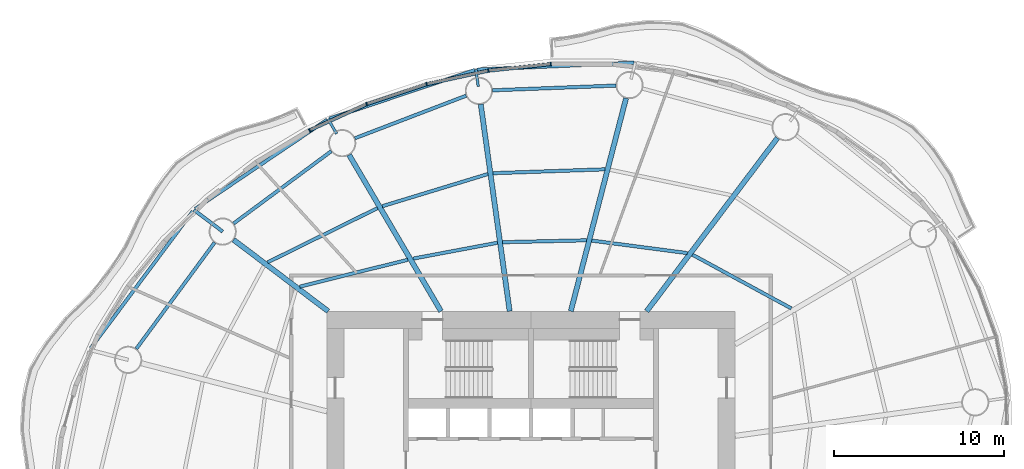
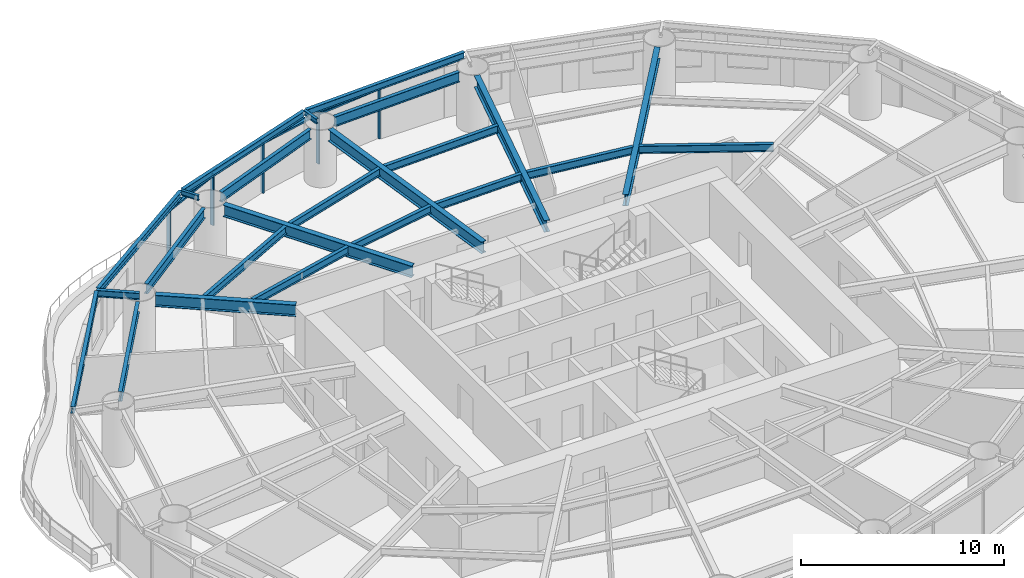
# One storey, part 5 of 16: 24 beams, 9 members, 4 elements without a shape of their own.
"""IFC4 building model written with IfcOpenShell, lengths in metres."""

from ifc_helpers import new_model, si_unit, direction, frame, origin, origin_2d, place, context, subcontext, project, spatial, rectangle, i_section, extrude, material, material_profile, profile_set, type_object, element, aggregate, save


model = new_model("IFC4")

# Units and contexts
model_context = context("Model", 3, precision=1e-05, world=origin(), true_north=direction((0.0, 1.0)))
body_context = subcontext(model_context, "Body", "Model", "MODEL_VIEW")
ifc_project = project(units=[si_unit("LENGTHUNIT", "METRE"), si_unit("AREAUNIT", "SQUARE_METRE"), si_unit("VOLUMEUNIT", "CUBIC_METRE"), si_unit("PLANEANGLEUNIT", "RADIAN"), si_unit("MASSUNIT", "GRAM", prefix="KILO")], contexts=[model_context])

# Site, building, storey
site_placement = place(None, origin())
site = spatial("IfcSite", under=ifc_project, at=site_placement, CompositionType="ELEMENT")
building_placement = place(site_placement, origin())
building = spatial("IfcBuilding", under=site, at=building_placement, Name="Vermilion Reach Broadcast Tower", CompositionType="ELEMENT")
storey_placement = place(building_placement, frame((0.0, 0.0, 95.800048828125)))
storey = spatial("IfcBuildingStorey", under=building, at=storey_placement, Name="L21", CompositionType="ELEMENT", Elevation=95.800048828125)

# Beams
ifc_material_1 = material(Name="Steel S355J2", Category="steel")
ifc_material_profile_1 = material_profile(ifc_material_1, i_section(OverallWidth=0.199951171875, OverallDepth=0.39990234375, WebThickness=0.008056640625, FlangeThickness=0.012939453125, at=origin_2d()), Name="S355J2 HN 400x200x8x13")
ifc_profile_set_1 = profile_set([ifc_material_profile_1], Name="Steel S355J2")
beam_type_1 = type_object("IfcBeamType", Name="EB2 HN 400x200x8x13", PredefinedType="BEAM", material=ifc_profile_set_1)
beam_1_placement = place(storey_placement, frame((0.04931640625, 23.605712890625, 3.25), z_axis=(-0.999051457618, -0.043545206746, 0.0), x_axis=(0.043545206746, -0.999051457618, 0.0)))
element("IfcBeam", 1, at=beam_1_placement, inside=storey, type_object=beam_type_1, Name="Edge beam EB2-03", PredefinedType="BEAM", context=body_context, shape_type="SweptSolid", body=[
    extrude(i_section(OverallWidth=0.199951171875, OverallDepth=0.39990234375, WebThickness=0.008056640625, FlangeThickness=0.012939453125, at=origin_2d()), origin(), (0.0, 0.0, 1.0), 9.222900390625),
])
beam_2_placement = place(storey_placement, frame((-9.312255859375, 23.176513671875, 3.25), z_axis=(-0.948406574581, -0.317056728824, 0.0), x_axis=(0.317056728824, -0.948406574581, 0.0)))
element("IfcBeam", 2, at=beam_2_placement, inside=storey, type_object=beam_type_1, Name="Edge beam EB2-04", PredefinedType="BEAM", context=body_context, shape_type="SweptSolid", body=[
    extrude(i_section(OverallWidth=0.199951171875, OverallDepth=0.39990234375, WebThickness=0.008056640625, FlangeThickness=0.012939453125, at=origin_2d()), origin(), (0.0, 0.0, 1.0), 9.0107421875),
])
beam_3_placement = place(storey_placement, frame((-17.9931640625, 20.253173828125, 3.25), z_axis=(-0.828409682943, -0.560122662643, 0.0), x_axis=(0.560122662643, -0.828409682943, 0.0)))
element("IfcBeam", 3, at=beam_3_placement, inside=storey, type_object=beam_type_1, Name="Edge beam EB2-05", PredefinedType="BEAM", context=body_context, shape_type="SweptSolid", body=[
    extrude(i_section(OverallWidth=0.199951171875, OverallDepth=0.39990234375, WebThickness=0.008056640625, FlangeThickness=0.012939453125, at=origin_2d()), origin(), (0.0, 0.0, 1.0), 9.341064453125),
])
beam_4_placement = place(storey_placement, frame((-25.878662109375, 14.881591796875, 3.25), z_axis=(-0.597619113208, -0.801780141641, 0.0), x_axis=(0.801780141641, -0.597619113208, 0.0)))
element("IfcBeam", 4, at=beam_4_placement, inside=storey, type_object=beam_type_1, Name="Edge beam EB2-06", PredefinedType="BEAM", context=body_context, shape_type="SweptSolid", body=[
    extrude(i_section(OverallWidth=0.199951171875, OverallDepth=0.39990234375, WebThickness=0.008056640625, FlangeThickness=0.012939453125, at=origin_2d()), origin(), (0.0, 0.0, 1.0), 10.052001953125),
])
ifc_material_2 = material(Name="Steel S355J2", Category="steel")
ifc_material_profile_2 = material_profile(ifc_material_2, i_section(OverallWidth=0.300048828125, OverallDepth=0.699951171875, WebThickness=0.012939453125, FlangeThickness=0.02392578125, at=origin_2d()), Name="S355J2 HN 700x300x13x24")
ifc_profile_set_2 = profile_set([ifc_material_profile_2], Name="Steel S355J2")
beam_type_2 = type_object("IfcBeamType", Name="G2 HN 700x300x13x24", PredefinedType="BEAM", material=ifc_profile_set_2)
beam_5_placement = place(storey_placement, frame((0.794189453125, 9.0, 3.099853515625), z_axis=(0.602519842365, 0.798103902733, 0.0), x_axis=(-0.798103902733, 0.602519842365, 0.0)))
element("IfcBeam", 5, at=beam_5_placement, inside=storey, type_object=beam_type_2, Name="Girder G2-02", PredefinedType="BEAM", context=body_context, shape_type="SweptSolid", body=[
    extrude(i_section(OverallWidth=0.300048828125, OverallDepth=0.699951171875, WebThickness=0.012939453125, FlangeThickness=0.02392578125, at=origin_2d()), origin(), (0.0, 0.0, 1.0), 12.758544921875),
])
beam_6_placement = place(storey_placement, frame((-3.6640625, 9.0, 3.099853515625), z_axis=(0.25121695316, 0.967930804575, 0.0), x_axis=(-0.967930804575, 0.25121695316, 0.0)))
element("IfcBeam", 6, at=beam_6_placement, inside=storey, type_object=beam_type_2, Name="Girder G2-03", PredefinedType="BEAM", context=body_context, shape_type="SweptSolid", body=[
    extrude(i_section(OverallWidth=0.300048828125, OverallDepth=0.699951171875, WebThickness=0.012939453125, FlangeThickness=0.02392578125, at=origin_2d()), origin(), (0.0, 0.0, 1.0), 12.93505859375),
])
beam_7_placement = place(storey_placement, frame((-7.2568359375, 9.0, 3.099853515625), z_axis=(-0.138317561234, 0.990387930184, 0.0), x_axis=(-0.990387930184, -0.138317561234, 0.0)))
element("IfcBeam", 7, at=beam_7_placement, inside=storey, type_object=beam_type_2, Name="Girder G2-04", PredefinedType="BEAM", context=body_context, shape_type="SweptSolid", body=[
    extrude(i_section(OverallWidth=0.300048828125, OverallDepth=0.699951171875, WebThickness=0.012939453125, FlangeThickness=0.02392578125, at=origin_2d()), origin(), (0.0, 0.0, 1.0), 12.281494140625),
])
beam_8_placement = place(storey_placement, frame((-11.290771484375, 9.0, 3.099853515625), z_axis=(-0.506783943634, 0.862073102744, 0.0), x_axis=(-0.862073102744, -0.506783943634, 0.0)))
element("IfcBeam", 8, at=beam_8_placement, inside=storey, type_object=beam_type_2, Name="Girder G2-05", PredefinedType="BEAM", context=body_context, shape_type="SweptSolid", body=[
    extrude(i_section(OverallWidth=0.300048828125, OverallDepth=0.699951171875, WebThickness=0.012939453125, FlangeThickness=0.02392578125, at=origin_2d()), origin(), (0.0, 0.0, 1.0), 10.661865234375),
])
beam_9_placement = place(storey_placement, frame((-17.921630859375, 9.0, 3.099853515625), z_axis=(-0.798113534072, 0.602507084382, 0.0), x_axis=(-0.602507084382, -0.798113534072, 0.0)))
element("IfcBeam", 9, at=beam_9_placement, inside=storey, type_object=beam_type_2, Name="Girder G2-06", PredefinedType="BEAM", context=body_context, shape_type="SweptSolid", body=[
    extrude(i_section(OverallWidth=0.300048828125, OverallDepth=0.699951171875, WebThickness=0.012939453125, FlangeThickness=0.02392578125, at=origin_2d()), origin(), (0.0, 0.0, 1.0), 6.971923828125),
])
ifc_material_3 = material(Name="Steel S355J2", Category="steel")
ifc_material_profile_3 = material_profile(ifc_material_3, i_section(OverallWidth=0.199951171875, OverallDepth=0.39990234375, WebThickness=0.008056640625, FlangeThickness=0.012939453125, at=origin_2d()), Name="S355J2 HN 400x200x8x13")
ifc_profile_set_3 = profile_set([ifc_material_profile_3], Name="Steel S355J2")
beam_type_3 = type_object("IfcBeamType", Name="GC2 HN 400x200x8x13", PredefinedType="BEAM", material=ifc_profile_set_3)
beam_10_placement = place(storey_placement, frame((-24.12451171875, 13.6826171875, 3.25), z_axis=(-0.798119240802, 0.602499524865, 0.0), x_axis=(-0.602499524865, -0.798119240802, 0.0)))
element("IfcBeam", 10, at=beam_10_placement, inside=storey, type_object=beam_type_3, Name="Cantilever girder GC2-06", PredefinedType="BEAM", context=body_context, shape_type="SweptSolid", body=[
    extrude(i_section(OverallWidth=0.199951171875, OverallDepth=0.39990234375, WebThickness=0.008056640625, FlangeThickness=0.012939453125, at=origin_2d()), origin(), (0.0, 0.0, 1.0), 2.122802734375),
])
ifc_material_4 = material(Name="Steel S355J2", Category="steel")
ifc_material_profile_4 = material_profile(ifc_material_4, i_section(OverallWidth=0.14990234375, OverallDepth=0.300048828125, WebThickness=0.006591796875, FlangeThickness=0.009033203125, at=origin_2d()), Name="S355J2 HN 300x150x6.5x9")
ifc_profile_set_4 = profile_set([ifc_material_profile_4], Name="Steel S355J2")
beam_type_4 = type_object("IfcBeamType", Name="GS2 HN 300x150x6.5x9", PredefinedType="BEAM", material=ifc_profile_set_4)
for number, where, z_axis, x_axis, name in (
    (11, (-9.101806640625, 22.21044921875, 3.300048828125), (-0.13817375644, 0.990408003315, 0.0), (-0.990408003315, -0.13817375644, 0.0), "Cantilever stub GS2-04"),
    (12, (-17.424072265625, 19.43310546875, 3.300048828125), (-0.506828068037, 0.862047161964, 0.0), (-0.862047161964, -0.506828068037, 0.0), "Cantilever stub GS2-05"),
):
    element("IfcBeam", number, at=place(storey_placement, frame(where, z_axis=z_axis, x_axis=x_axis)), inside=storey, type_object=beam_type_4, Name=name, PredefinedType="BEAM", context=body_context, shape_type="SweptSolid", body=[
        extrude(i_section(OverallWidth=0.14990234375, OverallDepth=0.300048828125, WebThickness=0.006591796875, FlangeThickness=0.009033203125, at=origin_2d()), origin(), (0.0, 0.0, 1.0), 1.0),
    ])
ifc_material_5 = material(Name="Steel S355J2", Category="steel")
ifc_material_profile_5 = material_profile(ifc_material_5, i_section(OverallWidth=0.199951171875, OverallDepth=0.60009765625, WebThickness=0.010986328125, FlangeThickness=0.01708984375, at=origin_2d()), Name="S355J2 HN 600x200x11x17")
ifc_profile_set_5 = profile_set([ifc_material_profile_5], Name="Steel S355J2")
beam_type_5 = type_object("IfcBeamType", Name="RB2 HN 600x200x11x17", PredefinedType="BEAM", material=ifc_profile_set_5)
beam_11_placement = place(storey_placement, frame((-1.012939453125, 22.263916015625, 3.14990234375), z_axis=(-0.999268558327, -0.038240663418, 0.0), x_axis=(0.038240663418, -0.999268558327, 0.0)))
element("IfcBeam", 13, at=beam_11_placement, inside=storey, type_object=beam_type_5, Name="Ring beam RB2-03", PredefinedType="BEAM", context=body_context, shape_type="SweptSolid", body=[
    extrude(i_section(OverallWidth=0.199951171875, OverallDepth=0.60009765625, WebThickness=0.010986328125, FlangeThickness=0.01708984375, at=origin_2d()), origin(), (0.0, 0.0, 1.0), 7.259033203125),
])
beam_12_placement = place(storey_placement, frame((-9.813232421875, 21.669677734375, 3.14990234375), z_axis=(-0.933939237212, -0.357431813353, 0.0), x_axis=(0.357431813353, -0.933939237212, 0.0)))
element("IfcBeam", 14, at=beam_12_placement, inside=storey, type_object=beam_type_5, Name="Ring beam RB2-04", PredefinedType="BEAM", context=body_context, shape_type="SweptSolid", body=[
    extrude(i_section(OverallWidth=0.199951171875, OverallDepth=0.60009765625, WebThickness=0.010986328125, FlangeThickness=0.01708984375, at=origin_2d()), origin(), (0.0, 0.0, 1.0), 7.001953125),
])
beam_13_placement = place(storey_placement, frame((-17.74267578125, 18.4052734375, 3.14990234375), z_axis=(-0.803832742218, -0.594855379515, 0.0), x_axis=(0.594855379515, -0.803832742218, 0.0)))
element("IfcBeam", 15, at=beam_13_placement, inside=storey, type_object=beam_type_5, Name="Ring beam RB2-05", PredefinedType="BEAM", context=body_context, shape_type="SweptSolid", body=[
    extrude(i_section(OverallWidth=0.199951171875, OverallDepth=0.60009765625, WebThickness=0.010986328125, FlangeThickness=0.01708984375, at=origin_2d()), origin(), (0.0, 0.0, 1.0), 7.13916015625),
])
beam_14_placement = place(storey_placement, frame((-24.59912109375, 13.03857421875, 3.14990234375), z_axis=(-0.593250534798, -0.80501788984, 0.0), x_axis=(0.80501788984, -0.593250534798, 0.0)))
element("IfcBeam", 16, at=beam_14_placement, inside=storey, type_object=beam_type_5, Name="Ring beam RB2-06", PredefinedType="BEAM", context=body_context, shape_type="SweptSolid", body=[
    extrude(i_section(OverallWidth=0.199951171875, OverallDepth=0.60009765625, WebThickness=0.010986328125, FlangeThickness=0.01708984375, at=origin_2d()), origin(), (0.0, 0.0, 1.0), 7.76220703125),
])
ifc_material_6 = material(Name="Steel S355J2", Category="steel")
ifc_material_profile_6 = material_profile(ifc_material_6, i_section(OverallWidth=0.199951171875, OverallDepth=0.449951171875, WebThickness=0.009033203125, FlangeThickness=0.013916015625, at=origin_2d()), Name="S355J2 HN 450x200x9x14")
ifc_profile_set_6 = profile_set([ifc_material_profile_6], Name="Steel S355J2")
beam_type_6 = type_object("IfcBeamType", Name="SB2 HN 450x200x9x14", PredefinedType="BEAM", material=ifc_profile_set_6)
beam_15_placement = place(storey_placement, frame((9.29736328125, 9.1669921875, 3.224853515625), z_axis=(-0.878713106774, 0.477350265512, 0.0), x_axis=(-0.477350265512, -0.878713106774, 0.0)))
element("IfcBeam", 17, at=beam_15_placement, inside=storey, type_object=beam_type_6, Name="Secondary beam SB2-01-1", PredefinedType="BEAM", context=body_context, shape_type="SweptSolid", body=[
    extrude(i_section(OverallWidth=0.199951171875, OverallDepth=0.449951171875, WebThickness=0.009033203125, FlangeThickness=0.013916015625, at=origin_2d()), origin(), (0.0, 0.0, 1.0), 6.60888671875),
])
beam_16_placement = place(storey_placement, frame((3.185546875, 12.416748046875, 3.224853515625), z_axis=(-0.991498686864, 0.130116693573, 0.0), x_axis=(-0.130116693573, -0.991498686864, 0.0)))
element("IfcBeam", 18, at=beam_16_placement, inside=storey, type_object=beam_type_6, Name="Secondary beam SB2-02-1", PredefinedType="BEAM", context=body_context, shape_type="SweptSolid", body=[
    extrude(i_section(OverallWidth=0.199951171875, OverallDepth=0.449951171875, WebThickness=0.009033203125, FlangeThickness=0.013916015625, at=origin_2d()), origin(), (0.0, 0.0, 1.0), 5.66455078125),
])
beam_17_placement = place(storey_placement, frame((-2.73681640625, 13.169921875, 3.224853515625), z_axis=(-0.999742320425, -0.022700060602, 0.0), x_axis=(0.022700060602, -0.999742320425, 0.0)))
element("IfcBeam", 19, at=beam_17_placement, inside=storey, type_object=beam_type_6, Name="Secondary beam SB2-03-1", PredefinedType="BEAM", context=body_context, shape_type="SweptSolid", body=[
    extrude(i_section(OverallWidth=0.199951171875, OverallDepth=0.449951171875, WebThickness=0.009033203125, FlangeThickness=0.013916015625, at=origin_2d()), origin(), (0.0, 0.0, 1.0), 4.9365234375),
])
beam_18_placement = place(storey_placement, frame((-1.654052734375, 17.34130859375, 3.224853515625), z_axis=(-0.999404722387, -0.03449928797, 0.0), x_axis=(0.03449928797, -0.999404722387, 0.0)))
element("IfcBeam", 20, at=beam_18_placement, inside=storey, type_object=beam_type_6, Name="Secondary beam SB2-03-2", PredefinedType="BEAM", context=body_context, shape_type="SweptSolid", body=[
    extrude(i_section(OverallWidth=0.199951171875, OverallDepth=0.449951171875, WebThickness=0.009033203125, FlangeThickness=0.013916015625, at=origin_2d()), origin(), (0.0, 0.0, 1.0), 6.58837890625),
])
beam_19_placement = place(storey_placement, frame((-7.970703125, 13.026611328125, 3.224853515625), z_axis=(-0.982782890015, -0.184764149915, 0.0), x_axis=(0.184764149915, -0.982782890015, 0.0)))
element("IfcBeam", 21, at=beam_19_placement, inside=storey, type_object=beam_type_6, Name="Secondary beam SB2-04-1", PredefinedType="BEAM", context=body_context, shape_type="SweptSolid", body=[
    extrude(i_section(OverallWidth=0.199951171875, OverallDepth=0.449951171875, WebThickness=0.009033203125, FlangeThickness=0.013916015625, at=origin_2d()), origin(), (0.0, 0.0, 1.0), 5.051513671875),
])
beam_20_placement = place(storey_placement, frame((-8.53466796875, 17.064697265625, 3.224853515625), z_axis=(-0.956596430605, -0.291415972374, 0.0), x_axis=(0.291415972374, -0.956596430605, 0.0)))
element("IfcBeam", 22, at=beam_20_placement, inside=storey, type_object=beam_type_6, Name="Secondary beam SB2-04-2", PredefinedType="BEAM", context=body_context, shape_type="SweptSolid", body=[
    extrude(i_section(OverallWidth=0.199951171875, OverallDepth=0.449951171875, WebThickness=0.009033203125, FlangeThickness=0.013916015625, at=origin_2d()), origin(), (0.0, 0.0, 1.0), 6.49267578125),
])
beam_21_placement = place(storey_placement, frame((-13.24365234375, 12.026123046875, 3.224853515625), z_axis=(-0.970396717612, -0.241516480695, 0.0), x_axis=(0.241516480695, -0.970396717612, 0.0)))
element("IfcBeam", 23, at=beam_21_placement, inside=storey, type_object=beam_type_6, Name="Secondary beam SB2-05-1", PredefinedType="BEAM", context=body_context, shape_type="SweptSolid", body=[
    extrude(i_section(OverallWidth=0.199951171875, OverallDepth=0.449951171875, WebThickness=0.009033203125, FlangeThickness=0.013916015625, at=origin_2d()), origin(), (0.0, 0.0, 1.0), 6.539306640625),
])
beam_22_placement = place(storey_placement, frame((-15.02783203125, 15.06103515625, 3.224853515625), z_axis=(-0.896648255868, -0.442743611189, 0.0), x_axis=(0.442743611189, -0.896648255868, 0.0)))
element("IfcBeam", 24, at=beam_22_placement, inside=storey, type_object=beam_type_6, Name="Secondary beam SB2-05-2", PredefinedType="BEAM", context=body_context, shape_type="SweptSolid", body=[
    extrude(i_section(OverallWidth=0.199951171875, OverallDepth=0.449951171875, WebThickness=0.009033203125, FlangeThickness=0.013916015625, at=origin_2d()), origin(), (0.0, 0.0, 1.0), 7.19677734375),
])

# Curtain wall, member
ifc_material_7 = material(Name="Low-e laminated clear glass in aluminium frame", Category="aluminium")
curtain_wall_type = type_object("IfcCurtainWallType", Name="Slot curtain wall", PredefinedType="NOTDEFINED", material=ifc_material_7)
placement = place(storey_placement, origin())
curtain_wall_1 = element("IfcCurtainWall", 25, at=placement, inside=storey, type_object=curtain_wall_type, Name="Slot curtain wall L21 10", PredefinedType="NOTDEFINED")
ifc_material_8 = material(Name="Anodised aluminium", Category="aluminium")
ifc_material_profile_7 = material_profile(ifc_material_8, rectangle(XDim=0.199951171875, YDim=0.080078125, at=origin_2d()), Name="Slot mullion 80 x 200")
ifc_profile_set_7 = profile_set([ifc_material_profile_7], Name="Anodised aluminium")
member_type_1 = type_object("IfcMemberType", Name="Slot mullion 80 x 200", PredefinedType="MULLION", material=ifc_profile_set_7)
member_1_placement = place(storey_placement, frame((-4.841064453125, 23.52978515625, 0.0), z_axis=(0.0, 0.0, 1.0), x_axis=(0.05162143582, -0.998666724871, 0.0)))
member_1 = element("IfcMember", 26, at=member_1_placement, type_object=member_type_1, Name="Slot mullion L21 10", PredefinedType="MULLION", context=body_context, shape_type="SweptSolid", body=[
    extrude(rectangle(XDim=0.199951171875, YDim=0.080078125, at=origin_2d()), origin(), (0.0, 0.0, 1.0), 3.050048828125),
])

curtain_wall_2 = element("IfcCurtainWall", 27, at=placement, inside=storey, type_object=curtain_wall_type, Name="Slot curtain wall L21 11", PredefinedType="NOTDEFINED")
member_2_placement = place(storey_placement, frame((-8.51123046875, 23.137451171875, 0.0), z_axis=(0.0, 0.0, 1.0), x_axis=(0.159778927645, -0.987152822151, 0.0)))
member_2 = element("IfcMember", 28, at=member_2_placement, type_object=member_type_1, Name="Slot mullion L21 11", PredefinedType="MULLION", context=body_context, shape_type="SweptSolid", body=[
    extrude(rectangle(XDim=0.199951171875, YDim=0.080078125, at=origin_2d()), origin(), (0.0, 0.0, 1.0), 3.050048828125),
])

curtain_wall_3 = element("IfcCurtainWall", 29, at=placement, inside=storey, type_object=curtain_wall_type, Name="Slot curtain wall L21 12", PredefinedType="NOTDEFINED")
member_3_placement = place(storey_placement, frame((-12.138671875, 22.347412109375, 0.0), z_axis=(0.0, 0.0, 1.0), x_axis=(0.264882896432, -0.96428058737, 0.0)))
member_3 = element("IfcMember", 30, at=member_3_placement, type_object=member_type_1, Name="Slot mullion L21 12", PredefinedType="MULLION", context=body_context, shape_type="SweptSolid", body=[
    extrude(rectangle(XDim=0.199951171875, YDim=0.080078125, at=origin_2d()), origin(), (0.0, 0.0, 1.0), 3.050048828125),
])

# Curtain wall, members
curtain_wall_4 = element("IfcCurtainWall", 31, at=placement, inside=storey, type_object=curtain_wall_type, Name="Slot curtain wall L21 13", PredefinedType="NOTDEFINED")
member_4_placement = place(storey_placement, frame((-15.66064453125, 21.173583984375, 0.0), z_axis=(0.0, 0.0, 1.0), x_axis=(0.366922430648, -0.93025154119, 0.0)))
member_4 = element("IfcMember", 32, at=member_4_placement, type_object=member_type_1, Name="Slot mullion L21 13", PredefinedType="MULLION", context=body_context, shape_type="SweptSolid", body=[
    extrude(rectangle(XDim=0.199951171875, YDim=0.080078125, at=origin_2d()), origin(), (0.0, 0.0, 1.0), 3.050048828125),
])
member_5_placement = place(storey_placement, frame((-19.016357421875, 19.635986328125, 0.0), z_axis=(0.0, 0.0, 1.0), x_axis=(0.465784447042, -0.884898213861, 0.0)))
member_5 = element("IfcMember", 33, at=member_5_placement, type_object=member_type_1, Name="Slot mullion L21 14", PredefinedType="MULLION", context=body_context, shape_type="SweptSolid", body=[
    extrude(rectangle(XDim=0.199951171875, YDim=0.080078125, at=origin_2d()), origin(), (0.0, 0.0, 1.0), 3.050048828125),
])

# Member
ifc_material_9 = material(Name="Anodised aluminium", Category="aluminium")
ifc_material_profile_8 = material_profile(ifc_material_9, rectangle(XDim=0.199951171875, YDim=0.10009765625, at=origin_2d()), Name="Slot transom 200 x 100")
ifc_profile_set_8 = profile_set([ifc_material_profile_8], Name="Anodised aluminium")
member_type_2 = type_object("IfcMemberType", Name="Slot transom 200 x 100", PredefinedType="USERDEFINED", material=ifc_profile_set_8)
member_6_placement = place(storey_placement, frame((-4.880859375, 23.525634765625, 3.0), z_axis=(-0.994328831419, -0.106349306577, 0.0), x_axis=(0.106349306577, -0.994328831419, 0.0)))
member_6 = element("IfcMember", 34, at=member_6_placement, type_object=member_type_2, Name="Slot transom L21 10.1", ObjectType="TRANSOM", PredefinedType="USERDEFINED", context=body_context, shape_type="SweptSolid", body=[
    extrude(rectangle(XDim=0.199951171875, YDim=0.10009765625, at=origin_2d()), origin(), (0.0, 0.0, 1.0), 3.611083984375),
])

aggregate(curtain_wall_1, [member_1, member_6])

member_7_placement = place(storey_placement, frame((-8.55029296875, 23.12890625, 3.0), z_axis=(-0.977098655356, -0.212786789301, 0.0), x_axis=(0.212786789301, -0.977098655356, 0.0)))
member_7 = element("IfcMember", 35, at=member_7_placement, type_object=member_type_2, Name="Slot transom L21 11.1", ObjectType="TRANSOM", PredefinedType="USERDEFINED", context=body_context, shape_type="SweptSolid", body=[
    extrude(rectangle(XDim=0.199951171875, YDim=0.10009765625, at=origin_2d()), origin(), (0.0, 0.0, 1.0), 3.632568359375),
])

aggregate(curtain_wall_2, [member_2, member_7])

member_8_placement = place(storey_placement, frame((-12.1767578125, 22.334716796875, 3.0), z_axis=(-0.948683298051, -0.316227766017, 0.0), x_axis=(0.316227766017, -0.948683298051, 0.0)))
member_8 = element("IfcMember", 36, at=member_8_placement, type_object=member_type_2, Name="Slot transom L21 12.1", ObjectType="TRANSOM", PredefinedType="USERDEFINED", context=body_context, shape_type="SweptSolid", body=[
    extrude(rectangle(XDim=0.199951171875, YDim=0.10009765625, at=origin_2d()), origin(), (0.0, 0.0, 1.0), 3.632568359375),
])

aggregate(curtain_wall_3, [member_3, member_8])

member_9_placement = place(storey_placement, frame((-15.697021484375, 21.15673828125, 3.0), z_axis=(-0.909121364473, -0.416531324944, 0.0), x_axis=(0.416531324944, -0.909121364473, 0.0)))
member_9 = element("IfcMember", 37, at=member_9_placement, type_object=member_type_2, Name="Slot transom L21 13.1", ObjectType="TRANSOM", PredefinedType="USERDEFINED", context=body_context, shape_type="SweptSolid", body=[
    extrude(rectangle(XDim=0.199951171875, YDim=0.10009765625, at=origin_2d()), origin(), (0.0, 0.0, 1.0), 3.611083984375),
])

aggregate(curtain_wall_4, [member_4, member_5, member_9])

save(model, "model.ifc")
